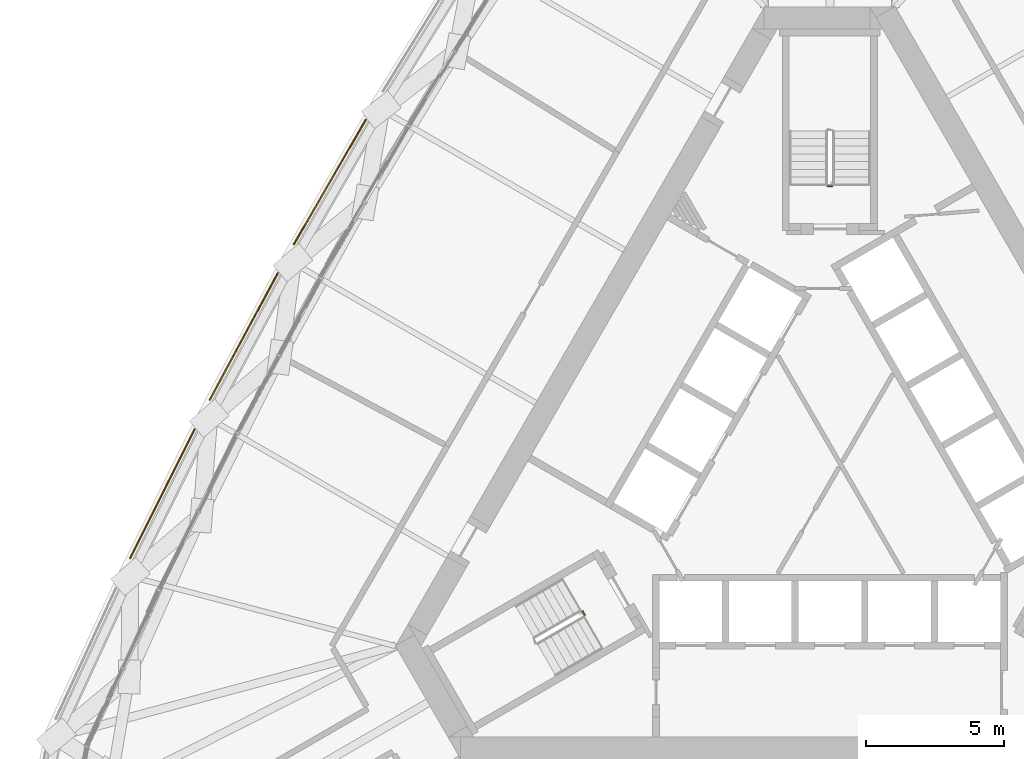
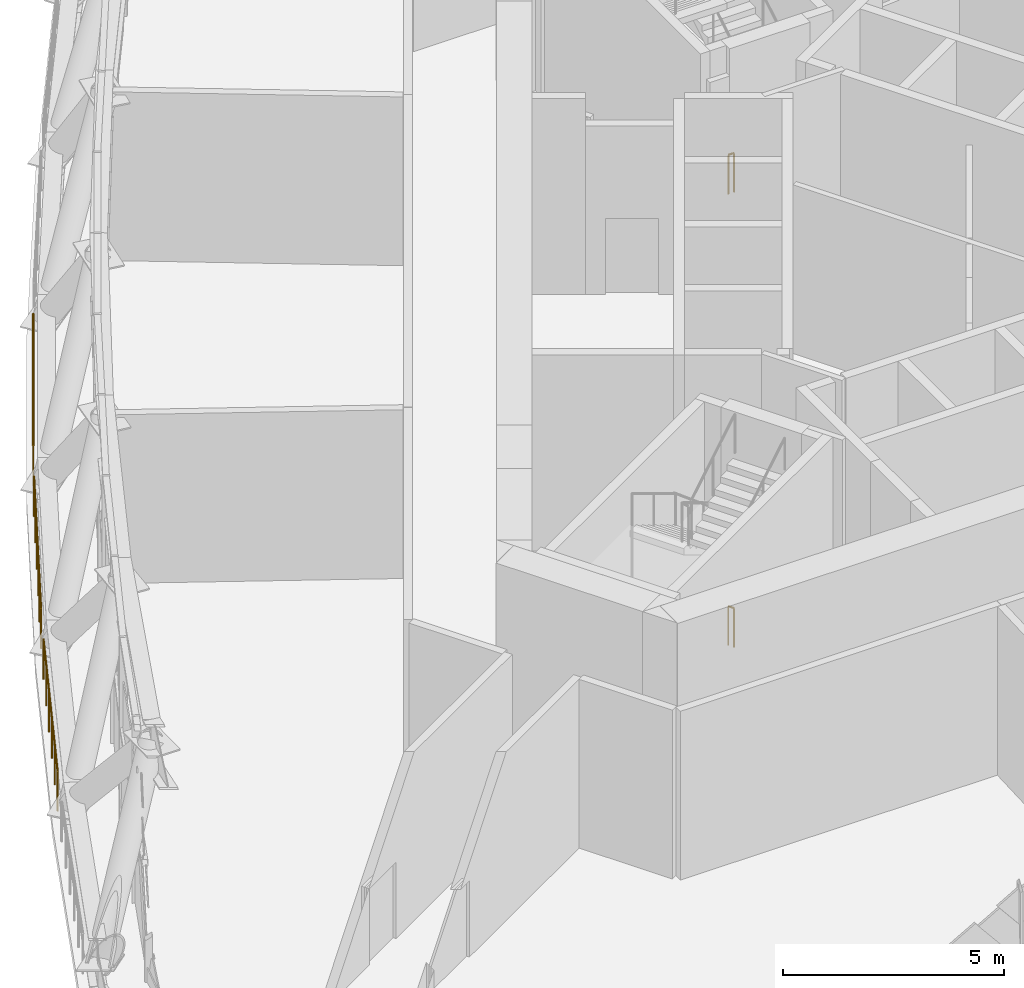
# One storey, part 33 of 35: 5 railings.
"""IFC4 building model written with IfcOpenShell, lengths in metres."""

from ifc_helpers import new_model, si_unit, direction, frame, origin, origin_2d, place, context, subcontext, project, spatial, circle, extrude, material, type_object, element, save


model = new_model("IFC4")

# Units and contexts
model_context = context("Model", 3, precision=1e-05, world=origin(), true_north=direction((0.0, 1.0)))
body_context = subcontext(model_context, "Body", "Model", "MODEL_VIEW")
ifc_project = project(units=[si_unit("LENGTHUNIT", "METRE"), si_unit("AREAUNIT", "SQUARE_METRE"), si_unit("VOLUMEUNIT", "CUBIC_METRE"), si_unit("PLANEANGLEUNIT", "RADIAN"), si_unit("MASSUNIT", "GRAM", prefix="KILO")], contexts=[model_context])

# Site, building, storey
site_placement = place(None, origin())
site = spatial("IfcSite", under=ifc_project, at=site_placement, CompositionType="ELEMENT")
building_placement = place(site_placement, origin())
building = spatial("IfcBuilding", under=site, at=building_placement, Name="Mestral Congress Tower", CompositionType="ELEMENT")
storey_placement = place(building_placement, frame((0.0, 0.0, 196.199951171875)))
storey = spatial("IfcBuildingStorey", under=building, at=storey_placement, Name="L46", CompositionType="ELEMENT", Elevation=196.199951171875)

# Railings
ifc_material_1 = material(Name="Stainless steel", Category="steel")
railing_type_1 = type_object("IfcRailingType", Name="Facade guard 1120 steel and glass", PredefinedType="GUARDRAIL", material=ifc_material_1)
railing_1_placement = place(storey_placement, frame((-16.80615234375, 12.707275390625, 0.0)))
element("IfcRailing", 1, at=railing_1_placement, inside=storey, type_object=railing_type_1, Name="Band guard F2-03", PredefinedType="GUARDRAIL", context=body_context, shape_type="SweptSolid", body=[
    extrude(circle(Radius=0.02392578125, at=origin_2d()), frame((0.0, 0.0, 1.09619140625), z_axis=(-0.500009456303, -0.866019944116, 0.0), x_axis=(0.866019944116, -0.500009456303, 0.0)), (0.0, 0.0, 1.0), 5.20361328125),
    extrude(circle(Radius=0.02099609375, at=origin_2d()), origin(), (0.0, 0.0, 1.0), 1.072021484375),
    extrude(circle(Radius=0.02099609375, at=origin_2d()), frame((-0.520263671875, -0.9013671875, 0.0)), (0.0, 0.0, 1.0), 1.072021484375),
    extrude(circle(Radius=0.02099609375, at=origin_2d()), frame((-1.040771484375, -1.802490234375, 0.0)), (0.0, 0.0, 1.0), 1.072021484375),
    extrude(circle(Radius=0.02099609375, at=origin_2d()), frame((-1.56103515625, -2.703857421875, 0.0)), (0.0, 0.0, 1.0), 1.072021484375),
    extrude(circle(Radius=0.02099609375, at=origin_2d()), frame((-2.08154296875, -3.60498046875, 0.0)), (0.0, 0.0, 1.0), 1.072021484375),
    extrude(circle(Radius=0.02099609375, at=origin_2d()), frame((-2.601806640625, -4.50634765625, 0.0)), (0.0, 0.0, 1.0), 1.072021484375),
])
railing_2_placement = place(storey_placement, frame((-19.994384765625, 7.148193359375, 0.0)))
element("IfcRailing", 2, at=railing_2_placement, inside=storey, type_object=railing_type_1, Name="Band guard F2-04", PredefinedType="GUARDRAIL", context=body_context, shape_type="SweptSolid", body=[
    extrude(circle(Radius=0.02392578125, at=origin_2d()), frame((0.0, 0.0, 1.09619140625), z_axis=(-0.473349833294, -0.880874528704, 0.0), x_axis=(0.880874528704, -0.473349833294, 0.0)), (0.0, 0.0, 1.0), 5.20361328125),
    extrude(circle(Radius=0.02099609375, at=origin_2d()), origin(), (0.0, 0.0, 1.0), 1.072021484375),
    extrude(circle(Radius=0.02099609375, at=origin_2d()), frame((-0.49267578125, -0.916748046875, 0.0)), (0.0, 0.0, 1.0), 1.072021484375),
    extrude(circle(Radius=0.02099609375, at=origin_2d()), frame((-0.9853515625, -1.83349609375, 0.0)), (0.0, 0.0, 1.0), 1.072021484375),
    extrude(circle(Radius=0.02099609375, at=origin_2d()), frame((-1.477783203125, -2.750244140625, 0.0)), (0.0, 0.0, 1.0), 1.072021484375),
    extrude(circle(Radius=0.02099609375, at=origin_2d()), frame((-1.970458984375, -3.6669921875, 0.0)), (0.0, 0.0, 1.0), 1.072021484375),
    extrude(circle(Radius=0.02099609375, at=origin_2d()), frame((-2.463134765625, -4.583740234375, 0.0)), (0.0, 0.0, 1.0), 1.072021484375),
])
railing_3_placement = place(storey_placement, frame((-23.01171875, 1.494140625, 0.0)))
element("IfcRailing", 3, at=railing_3_placement, inside=storey, type_object=railing_type_1, Name="Band guard F2-05", PredefinedType="GUARDRAIL", context=body_context, shape_type="SweptSolid", body=[
    extrude(circle(Radius=0.02392578125, at=origin_2d()), frame((0.0, 0.0, 1.09619140625), z_axis=(-0.446237434169, -0.894914606176, 0.0), x_axis=(0.894914606176, -0.446237434169, 0.0)), (0.0, 0.0, 1.0), 5.20361328125),
    extrude(circle(Radius=0.02099609375, at=origin_2d()), origin(), (0.0, 0.0, 1.0), 1.072021484375),
    extrude(circle(Radius=0.02099609375, at=origin_2d()), frame((-0.46435546875, -0.931396484375, 0.0)), (0.0, 0.0, 1.0), 1.072021484375),
    extrude(circle(Radius=0.02099609375, at=origin_2d()), frame((-0.9287109375, -1.86279296875, 0.0)), (0.0, 0.0, 1.0), 1.072021484375),
    extrude(circle(Radius=0.02099609375, at=origin_2d()), frame((-1.393310546875, -2.7939453125, 0.0)), (0.0, 0.0, 1.0), 1.072021484375),
    extrude(circle(Radius=0.02099609375, at=origin_2d()), frame((-1.857666015625, -3.725341796875, 0.0)), (0.0, 0.0, 1.0), 1.072021484375),
    extrude(circle(Radius=0.02099609375, at=origin_2d()), frame((-2.322021484375, -4.65673828125, 0.0)), (0.0, 0.0, 1.0), 1.072021484375),
])
ifc_material_2 = material(Name="Steel balustrade", Category="steel")
railing_type_2 = type_object("IfcRailingType", Name="Stair guard 1100", PredefinedType="GUARDRAIL", material=ifc_material_2)
railing_4_placement = place(storey_placement, frame((0.074951171875, 10.300048828125, 0.0)))
element("IfcRailing", 4, at=railing_4_placement, inside=storey, type_object=railing_type_2, Name="L46 ST2 stair guard 5", PredefinedType="GUARDRAIL", context=body_context, shape_type="SweptSolid", body=[
    extrude(circle(Radius=0.02392578125, at=origin_2d()), frame((0.0, 0.0, 1.076171875), z_axis=(-1.0, 0.0, 0.0), x_axis=(0.0, -1.0, 0.0)), (0.0, 0.0, 1.0), 0.14990234375),
    extrude(circle(Radius=0.02099609375, at=origin_2d()), origin(), (0.0, 0.0, 1.0), 1.052001953125),
    extrude(circle(Radius=0.02099609375, at=origin_2d()), frame((-0.14990234375, 0.0, 0.0)), (0.0, 0.0, 1.0), 1.052001953125),
])
railing_5_placement = place(storey_placement, frame((-8.95751953125, -5.0849609375, 0.0)))
element("IfcRailing", 5, at=railing_5_placement, inside=storey, type_object=railing_type_2, Name="L46 ST3 stair guard 5", PredefinedType="GUARDRAIL", context=body_context, shape_type="SweptSolid", body=[
    extrude(circle(Radius=0.02392578125, at=origin_2d()), frame((0.0, 0.0, 1.076171875), z_axis=(0.499816412211, -0.866131372301, 0.0), x_axis=(0.866131372301, 0.499816412211, 0.0)), (0.0, 0.0, 1.0), 0.14990234375),
    extrude(circle(Radius=0.02099609375, at=origin_2d()), origin(), (0.0, 0.0, 1.0), 1.052001953125),
    extrude(circle(Radius=0.02099609375, at=origin_2d()), frame((0.074951171875, -0.1298828125, 0.0)), (0.0, 0.0, 1.0), 1.052001953125),
])

save(model, "model.ifc")
